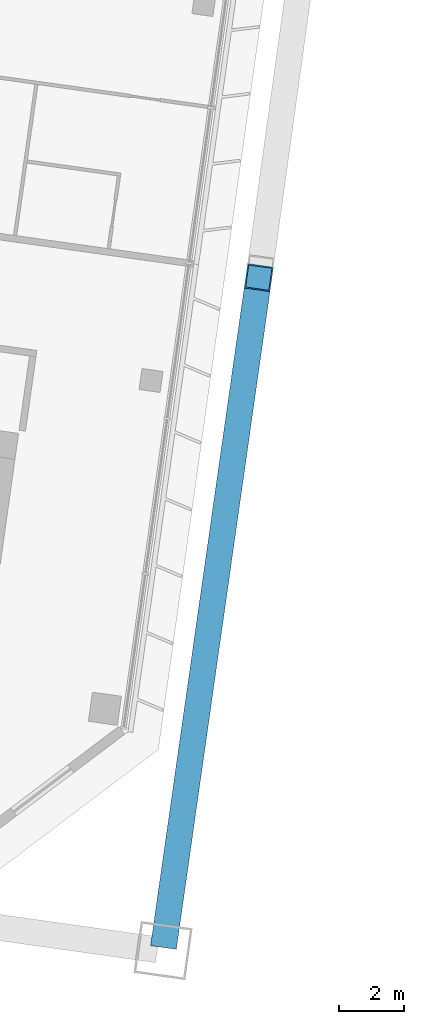
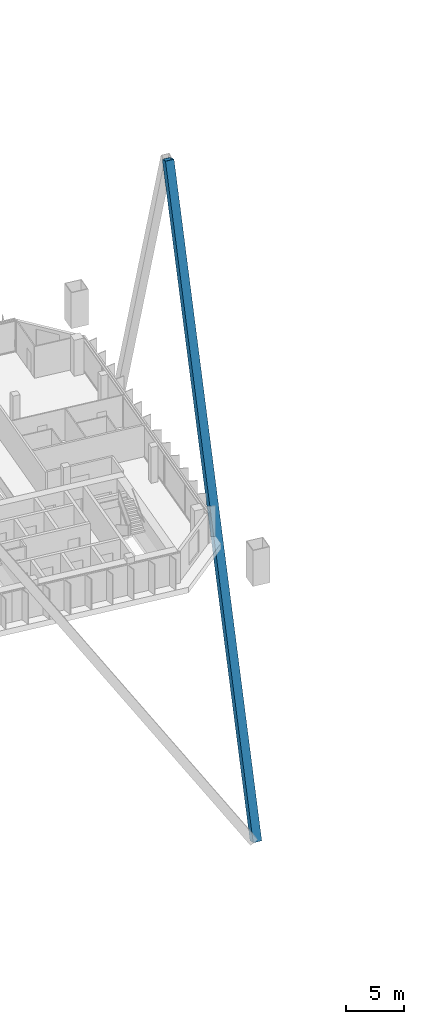
# One storey, part 11 of 41: 1 member.
"""IFC4 building model written with IfcOpenShell, lengths in metres."""

from ifc_helpers import new_model, si_unit, direction, frame, origin, origin_2d, place, context, subcontext, project, spatial, hollow_rectangle, extrude, material, material_profile, profile_set, type_object, element, save


model = new_model("IFC4")

# Units and contexts
model_context = context("Model", 3, precision=1e-05, world=origin(), true_north=direction((0.0, 1.0)))
body_context = subcontext(model_context, "Body", "Model", "MODEL_VIEW")
ifc_project = project(units=[si_unit("LENGTHUNIT", "METRE"), si_unit("AREAUNIT", "SQUARE_METRE"), si_unit("VOLUMEUNIT", "CUBIC_METRE"), si_unit("PLANEANGLEUNIT", "RADIAN"), si_unit("MASSUNIT", "GRAM", prefix="KILO")], contexts=[model_context])

# Site, building, storey
site_placement = place(None, origin())
site = spatial("IfcSite", under=ifc_project, at=site_placement, CompositionType="ELEMENT")
building_placement = place(site_placement, origin())
building = spatial("IfcBuilding", under=site, at=building_placement, Name="Mirante Cascada Hotel Towers", CompositionType="ELEMENT")
storey_placement = place(building_placement, frame((0.0, 0.0, 125.3)))
storey = spatial("IfcBuildingStorey", under=building, at=storey_placement, Name="L28", CompositionType="ELEMENT", Elevation=125.3)

# Member
ifc_material = material(Name="Steel ASTM A572 Gr 50", Category="steel")
ifc_material_profile = material_profile(ifc_material, hollow_rectangle(XDim=0.8, YDim=0.8, WallThickness=0.04, at=origin_2d()), Name="Box brace 800x800x40 ASTM A572 Gr 50")
ifc_profile_set = profile_set([ifc_material_profile], Name="Steel ASTM A572 Gr 50")
member_type = type_object("IfcMemberType", Name="Box brace 800x800x40 ASTM A572 Gr 50", PredefinedType="BRACE", material=ifc_profile_set)
member_placement = place(storey_placement, frame((-30.8764, -22.6065, -27.9164), z_axis=(0.0461363, 0.3241566, 0.9448777), x_axis=(-0.9900228, 0.140907, 0.0)))
element("IfcMember", 1, at=member_placement, inside=storey, type_object=member_type, Name="brace T1 L28 5", PredefinedType="BRACE", context=body_context, shape_type="SweptSolid", body=[
    extrude(hollow_rectangle(XDim=0.8, YDim=0.8, WallThickness=0.04, at=origin_2d()), origin(), (0.0, 0.0, 1.0), 62.2677),
])

save(model, "model.ifc")
